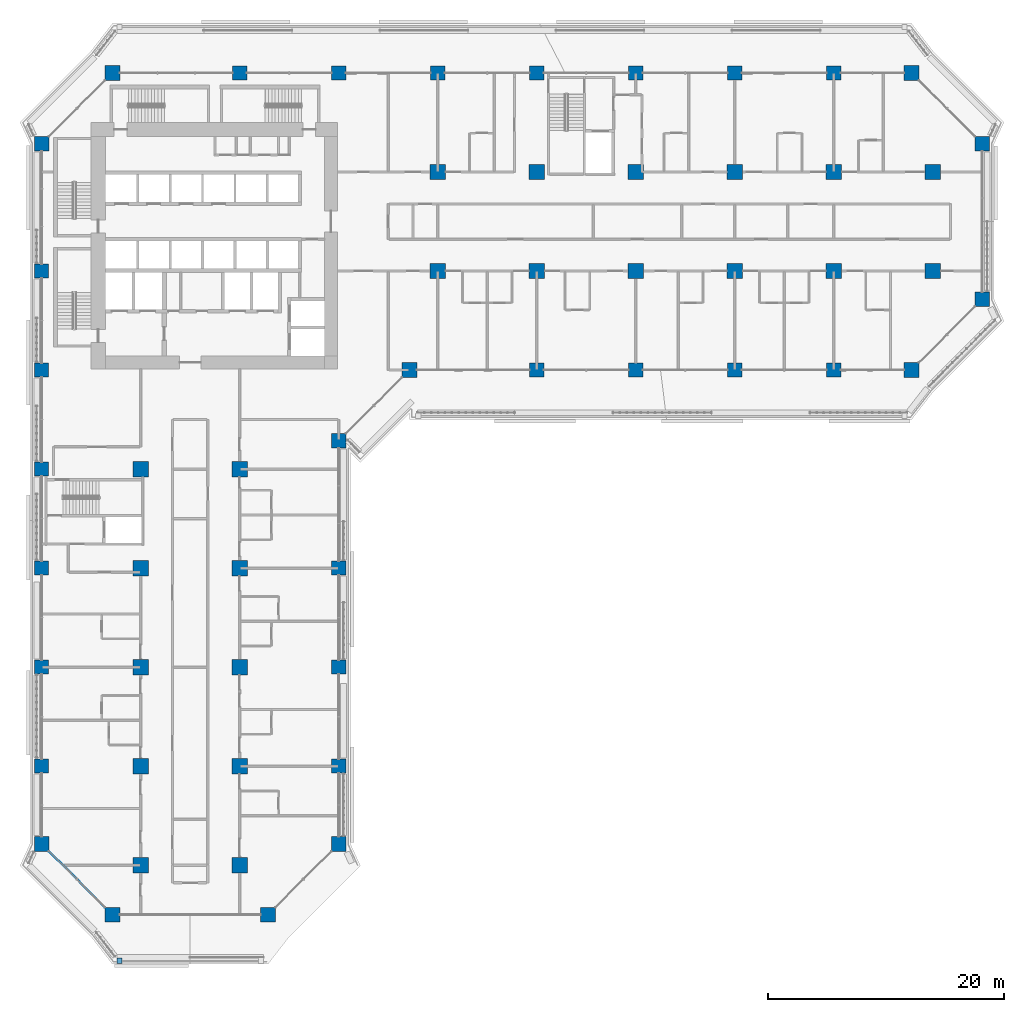
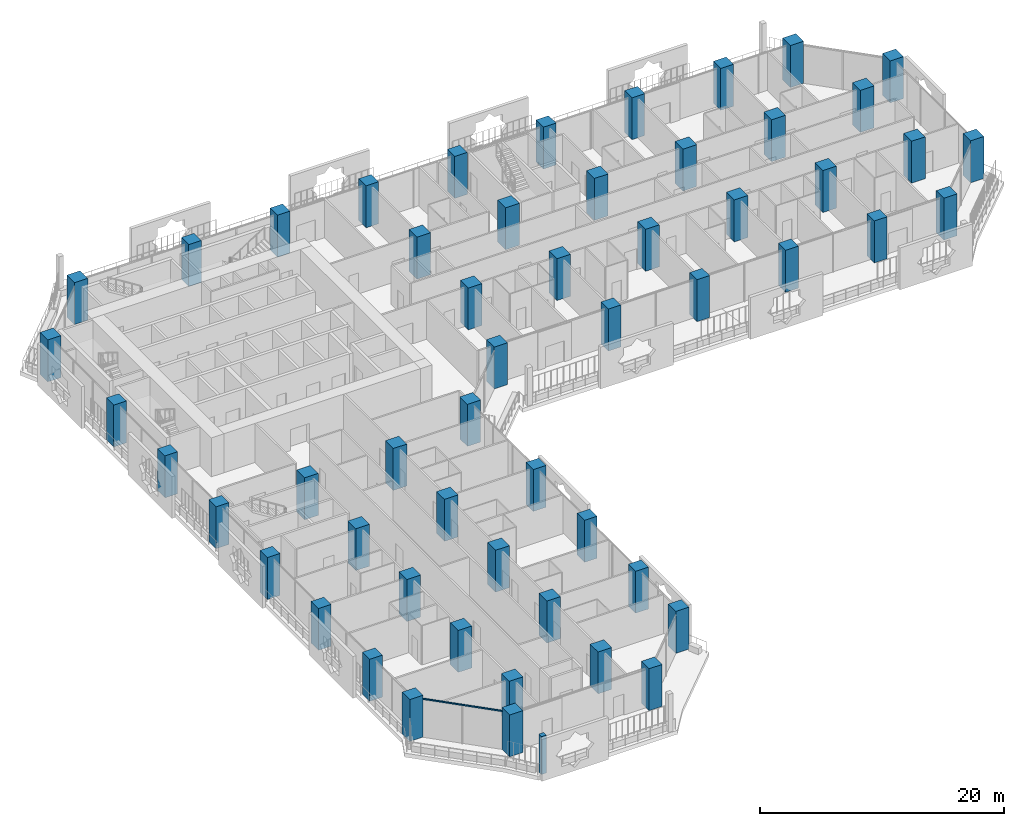
# One storey, part 1 of 29: 54 columns, 2 members, 2 elements without a shape of their own.
"""IFC4 building model written with IfcOpenShell, lengths in metres."""

from ifc_helpers import new_model, si_unit, direction, frame, origin, origin_2d, place, context, subcontext, project, spatial, rectangle, extrude, material, layer, layer_set, material_profile, profile_set, type_object, element, aggregate, save


model = new_model("IFC4")

# Units and contexts
model_context = context("Model", 3, precision=1e-05, world=origin(), true_north=direction((0.0, 1.0)))
body_context = subcontext(model_context, "Body", "Model", "MODEL_VIEW")
ifc_project = project(units=[si_unit("LENGTHUNIT", "METRE"), si_unit("AREAUNIT", "SQUARE_METRE"), si_unit("VOLUMEUNIT", "CUBIC_METRE"), si_unit("PLANEANGLEUNIT", "RADIAN"), si_unit("MASSUNIT", "GRAM", prefix="KILO")], contexts=[model_context])

# Site, building, storey
site_placement = place(None, origin())
site = spatial("IfcSite", under=ifc_project, at=site_placement, CompositionType="ELEMENT")
building_placement = place(site_placement, origin())
building = spatial("IfcBuilding", under=site, at=building_placement, Name="Kawkab Arch Medical Tower", CompositionType="ELEMENT")
storey_placement = place(building_placement, frame((0.0, 0.0, 64.39990234375)))
storey = spatial("IfcBuildingStorey", under=building, at=storey_placement, Name="L14", CompositionType="ELEMENT", Elevation=64.39990234375)

# Columns
ifc_material_1 = material(Name="Concrete C60/75", Category="concrete")
ifc_material_profile_1 = material_profile(ifc_material_1, rectangle(XDim=1.199951171875, YDim=1.199951171875, at=origin_2d()), Name="RC 1200x1200")
ifc_profile_set_1 = profile_set([ifc_material_profile_1], Name="Concrete C60/75")
column_type_1 = type_object("IfcColumnType", Name="RC 1200x1200 column C60/75", PredefinedType="COLUMN", material=ifc_profile_set_1)
for number, where, z_axis, x_axis, name in (
    (1, (16.800048828125, 0.0, 0.0), (0.0, 0.0, 1.0), (1.0, 0.0, 0.0), "Column RC 1200x1200"),
    (2, (25.199951171875, 0.0, 0.0), (0.0, 0.0, 1.0), (1.0, 0.0, 0.0), "Column RC 1200x1200"),
    (3, (33.60009765625, 0.0, 0.0), (0.0, 0.0, 1.0), (1.0, 0.0, 0.0), "Column RC 1200x1200"),
    (4, (42.0, 0.0, 0.0), (0.0, 0.0, 1.0), (1.0, 0.0, 0.0), "Column RC 1200x1200"),
    (5, (50.39990234375, 0.0, 0.0), (0.0, 0.0, 1.0), (1.0, 0.0, 0.0), "Column RC 1200x1200"),
    (6, (58.800048828125, 0.0, 0.0), (0.0, 0.0, 1.0), (1.0, 0.0, 0.0), "Column RC 1200x1200"),
    (7, (67.199951171875, 0.0, 0.0), (0.0, 0.0, 1.0), (1.0, 0.0, 0.0), "Column RC 1200x1200"),
    (8, (0.0, -16.800048828125, 0.0), (0.0, 0.0, 1.0), (1.0, 0.0, 0.0), "Column RC 1200x1200"),
    (9, (0.0, -25.199951171875, 0.0), (0.0, 0.0, 1.0), (1.0, 0.0, 0.0), "Column RC 1200x1200"),
    (10, (42.0, -25.199951171875, 0.0), (0.0, 0.0, 1.0), (1.0, 0.0, 0.0), "Column RC 1200x1200"),
    (11, (50.39990234375, -25.199951171875, 0.0), (0.0, 0.0, 1.0), (1.0, 0.0, 0.0), "Column RC 1200x1200"),
    (12, (58.800048828125, -25.199951171875, 0.0), (0.0, 0.0, 1.0), (1.0, 0.0, 0.0), "Column RC 1200x1200"),
    (13, (67.199951171875, -25.199951171875, 0.0), (0.0, 0.0, 1.0), (1.0, 0.0, 0.0), "Column RC 1200x1200"),
    (14, (0.0, -33.60009765625, 0.0), (0.0, 0.0, 1.0), (1.0, 0.0, 0.0), "Column RC 1200x1200"),
    (15, (0.0, -42.0, 0.0), (0.0, 0.0, 1.0), (1.0, 0.0, 0.0), "Column RC 1200x1200"),
    (16, (25.199951171875, -42.0, 0.0), (0.0, 0.0, 1.0), (1.0, 0.0, 0.0), "Column RC 1200x1200"),
    (17, (0.0, -50.39990234375, 0.0), (0.0, 0.0, 1.0), (1.0, 0.0, 0.0), "Column RC 1200x1200"),
    (18, (25.199951171875, -50.39990234375, 0.0), (0.0, 0.0, 1.0), (1.0, 0.0, 0.0), "Column RC 1200x1200"),
    (19, (0.0, -58.800048828125, 0.0), (0.0, 0.0, 1.0), (1.0, 0.0, 0.0), "Column RC 1200x1200"),
    (20, (25.199951171875, -58.800048828125, 0.0), (0.0, 0.0, 1.0), (1.0, 0.0, 0.0), "Column RC 1200x1200"),
):
    element("IfcColumn", number, at=place(storey_placement, frame(where, z_axis=z_axis, x_axis=x_axis)), inside=storey, type_object=column_type_1, Name=name, PredefinedType="COLUMN", context=body_context, shape_type="SweptSolid", body=[
        extrude(rectangle(XDim=1.199951171875, YDim=1.199951171875, at=origin_2d()), origin(), (0.0, 0.0, 1.0), 4.2001953125),
    ])
ifc_material_2 = material(Name="Concrete C60/75", Category="concrete")
ifc_material_profile_2 = material_profile(ifc_material_2, rectangle(XDim=1.25, YDim=1.25, at=origin_2d()), Name="RC 1250x1250")
ifc_profile_set_2 = profile_set([ifc_material_profile_2], Name="Concrete C60/75")
column_type_2 = type_object("IfcColumnType", Name="RC 1250x1250 column C60/75", PredefinedType="COLUMN", material=ifc_profile_set_2)
for number, where, z_axis, x_axis, name in (
    (21, (6.0, 0.0, 0.0), (0.0, 0.0, 1.0), (1.0, 0.0, 0.0), "Column RC 1250x1250"),
    (22, (73.800048828125, 0.0, 0.0), (0.0, 0.0, 1.0), (1.0, 0.0, 0.0), "Column RC 1250x1250"),
    (23, (0.0, -6.0, 0.0), (0.0, 0.0, 1.0), (1.0, 0.0, 0.0), "Column RC 1250x1250"),
    (24, (79.800048828125, -6.0, 0.0), (0.0, 0.0, 1.0), (1.0, 0.0, 0.0), "Column RC 1250x1250"),
    (25, (79.800048828125, -19.199951171875, 0.0), (0.0, 0.0, 1.0), (1.0, 0.0, 0.0), "Column RC 1250x1250"),
    (26, (31.199951171875, -25.199951171875, 0.0), (0.0, 0.0, 1.0), (1.0, 0.0, 0.0), "Column RC 1250x1250"),
    (27, (73.800048828125, -25.199951171875, 0.0), (0.0, 0.0, 1.0), (1.0, 0.0, 0.0), "Column RC 1250x1250"),
    (28, (25.199951171875, -31.199951171875, 0.0), (0.0, 0.0, 1.0), (1.0, 0.0, 0.0), "Column RC 1250x1250"),
    (29, (0.0, -65.39990234375, 0.0), (0.0, 0.0, 1.0), (1.0, 0.0, 0.0), "Column RC 1250x1250"),
    (30, (25.199951171875, -65.39990234375, 0.0), (0.0, 0.0, 1.0), (1.0, 0.0, 0.0), "Column RC 1250x1250"),
    (31, (6.0, -71.39990234375, 0.0), (0.0, 0.0, 1.0), (1.0, 0.0, 0.0), "Column RC 1250x1250"),
    (32, (19.199951171875, -71.39990234375, 0.0), (0.0, 0.0, 1.0), (1.0, 0.0, 0.0), "Column RC 1250x1250"),
):
    element("IfcColumn", number, at=place(storey_placement, frame(where, z_axis=z_axis, x_axis=x_axis)), inside=storey, type_object=column_type_2, Name=name, PredefinedType="COLUMN", context=body_context, shape_type="SweptSolid", body=[
        extrude(rectangle(XDim=1.25, YDim=1.25, at=origin_2d()), origin(), (0.0, 0.0, 1.0), 4.2001953125),
    ])
ifc_material_3 = material(Name="Concrete C60/75", Category="concrete")
ifc_material_profile_3 = material_profile(ifc_material_3, rectangle(XDim=1.300048828125, YDim=1.300048828125, at=origin_2d()), Name="RC 1300x1300")
ifc_profile_set_3 = profile_set([ifc_material_profile_3], Name="Concrete C60/75")
column_type_3 = type_object("IfcColumnType", Name="RC 1300x1300 column C60/75", PredefinedType="COLUMN", material=ifc_profile_set_3)
for number, where, z_axis, x_axis, name in (
    (33, (33.60009765625, -8.39990234375, 0.0), (0.0, 0.0, 1.0), (1.0, 0.0, 0.0), "Column RC 1300x1300"),
    (34, (42.0, -8.39990234375, 0.0), (0.0, 0.0, 1.0), (1.0, 0.0, 0.0), "Column RC 1300x1300"),
    (35, (50.39990234375, -8.39990234375, 0.0), (0.0, 0.0, 1.0), (1.0, 0.0, 0.0), "Column RC 1300x1300"),
    (36, (58.800048828125, -8.39990234375, 0.0), (0.0, 0.0, 1.0), (1.0, 0.0, 0.0), "Column RC 1300x1300"),
    (37, (67.199951171875, -8.39990234375, 0.0), (0.0, 0.0, 1.0), (1.0, 0.0, 0.0), "Column RC 1300x1300"),
    (38, (75.60009765625, -8.39990234375, 0.0), (0.0, 0.0, 1.0), (1.0, 0.0, 0.0), "Column RC 1300x1300"),
    (39, (33.60009765625, -16.800048828125, 0.0), (0.0, 0.0, 1.0), (1.0, 0.0, 0.0), "Column RC 1300x1300"),
    (40, (42.0, -16.800048828125, 0.0), (0.0, 0.0, 1.0), (1.0, 0.0, 0.0), "Column RC 1300x1300"),
    (41, (50.39990234375, -16.800048828125, 0.0), (0.0, 0.0, 1.0), (1.0, 0.0, 0.0), "Column RC 1300x1300"),
    (42, (58.800048828125, -16.800048828125, 0.0), (0.0, 0.0, 1.0), (1.0, 0.0, 0.0), "Column RC 1300x1300"),
    (43, (67.199951171875, -16.800048828125, 0.0), (0.0, 0.0, 1.0), (1.0, 0.0, 0.0), "Column RC 1300x1300"),
    (44, (75.60009765625, -16.800048828125, 0.0), (0.0, 0.0, 1.0), (1.0, 0.0, 0.0), "Column RC 1300x1300"),
    (45, (8.39990234375, -33.60009765625, 0.0), (0.0, 0.0, 1.0), (1.0, 0.0, 0.0), "Column RC 1300x1300"),
    (46, (16.800048828125, -33.60009765625, 0.0), (0.0, 0.0, 1.0), (1.0, 0.0, 0.0), "Column RC 1300x1300"),
    (47, (8.39990234375, -42.0, 0.0), (0.0, 0.0, 1.0), (1.0, 0.0, 0.0), "Column RC 1300x1300"),
    (48, (16.800048828125, -42.0, 0.0), (0.0, 0.0, 1.0), (1.0, 0.0, 0.0), "Column RC 1300x1300"),
    (49, (8.39990234375, -50.39990234375, 0.0), (0.0, 0.0, 1.0), (1.0, 0.0, 0.0), "Column RC 1300x1300"),
    (50, (16.800048828125, -50.39990234375, 0.0), (0.0, 0.0, 1.0), (1.0, 0.0, 0.0), "Column RC 1300x1300"),
    (51, (8.39990234375, -58.800048828125, 0.0), (0.0, 0.0, 1.0), (1.0, 0.0, 0.0), "Column RC 1300x1300"),
    (52, (16.800048828125, -58.800048828125, 0.0), (0.0, 0.0, 1.0), (1.0, 0.0, 0.0), "Column RC 1300x1300"),
    (53, (8.39990234375, -67.199951171875, 0.0), (0.0, 0.0, 1.0), (1.0, 0.0, 0.0), "Column RC 1300x1300"),
    (54, (16.800048828125, -67.199951171875, 0.0), (0.0, 0.0, 1.0), (1.0, 0.0, 0.0), "Column RC 1300x1300"),
):
    element("IfcColumn", number, at=place(storey_placement, frame(where, z_axis=z_axis, x_axis=x_axis)), inside=storey, type_object=column_type_3, Name=name, PredefinedType="COLUMN", context=body_context, shape_type="SweptSolid", body=[
        extrude(rectangle(XDim=1.300048828125, YDim=1.300048828125, at=origin_2d()), origin(), (0.0, 0.0, 1.0), 4.2001953125),
    ])

# Curtain wall, member
ifc_material_4 = material(Name="Bronze anodised aluminium curtain wall frame", Category="aluminium")
ifc_layer_1 = layer(ifc_material_4, 0.159912109375)
ifc_layer_set_1 = layer_set([ifc_layer_1], Name="Bronze anodised aluminium curtain wall frame")
curtain_wall_type_1 = type_object("IfcCurtainWallType", Name="CW2 chamfer curtain wall", PredefinedType="NOTDEFINED", material=ifc_layer_set_1)
placement = place(storey_placement, origin())
curtain_wall_1 = element("IfcCurtainWall", 55, at=placement, inside=storey, type_object=curtain_wall_type_1, Name="CW2 Chamfer curtain wall R02", PredefinedType="NOTDEFINED")
ifc_material_5 = material(Name="Bronze anodised aluminium curtain wall frame", Category="aluminium")
ifc_material_profile_4 = material_profile(ifc_material_5, rectangle(XDim=0.06005859375, YDim=0.139892578125, at=origin_2d()), Name="AL 60x140")
ifc_profile_set_4 = profile_set([ifc_material_profile_4], Name="Bronze anodised aluminium curtain wall frame")
member_type_1 = type_object("IfcMemberType", Name="CW2 transom 140 x 60", PredefinedType="USERDEFINED", material=ifc_profile_set_4)
member_1_placement = place(storey_placement, frame((0.625, -66.02490234375, 3.830078125), z_axis=(0.707106781187, -0.707106781187, 0.0), x_axis=(0.707106781187, 0.707106781187, 0.0)))
member_1 = element("IfcMember", 56, at=member_1_placement, type_object=member_type_1, Name="CW2 transom 1", ObjectType="TRANSOM", PredefinedType="USERDEFINED", context=body_context, shape_type="SweptSolid", body=[
    extrude(rectangle(XDim=0.06005859375, YDim=0.139892578125, at=origin_2d()), origin(), (0.0, 0.0, 1.0), 6.717529296875),
])
aggregate(curtain_wall_1, [member_1])

ifc_material_6 = material(Name="Bronze anodised aluminium climber frame, planted", Category="aluminium")
ifc_layer_2 = layer(ifc_material_6, 0.449951171875)
ifc_layer_set_2 = layer_set([ifc_layer_2], Name="Bronze anodised aluminium climber frame, planted")
curtain_wall_type_2 = type_object("IfcCurtainWallType", Name="Planted climber frame", PredefinedType="NOTDEFINED", material=ifc_layer_set_2)
curtain_wall_2 = element("IfcCurtainWall", 57, at=placement, inside=storey, type_object=curtain_wall_type_2, Name="Planted climber frame L14", PredefinedType="NOTDEFINED")
ifc_material_7 = material(Name="Bronze anodised aluminium climber frame, planted", Category="aluminium")
ifc_material_profile_5 = material_profile(ifc_material_7, rectangle(XDim=0.449951171875, YDim=0.449951171875, at=origin_2d()), Name="Post 450x450")
ifc_profile_set_5 = profile_set([ifc_material_profile_5], Name="Bronze anodised aluminium climber frame, planted")
member_type_2 = type_object("IfcMemberType", Name="Planted climber post 450 x 450", PredefinedType="MULLION", material=ifc_profile_set_5)
member_2_placement = place(storey_placement, frame((6.596923828125, -75.300048828125, 0.0), z_axis=(0.0, 0.0, 1.0), x_axis=(1.0, 0.0, 0.0)))
member_2 = element("IfcMember", 58, at=member_2_placement, type_object=member_type_2, Name="Planted climber post L14.LOG-01-01.2", PredefinedType="MULLION", context=body_context, shape_type="SweptSolid", body=[
    extrude(rectangle(XDim=0.449951171875, YDim=0.449951171875, at=origin_2d()), origin(), (0.0, 0.0, 1.0), 3.800048828125),
])
aggregate(curtain_wall_2, [member_2])

save(model, "model.ifc")
